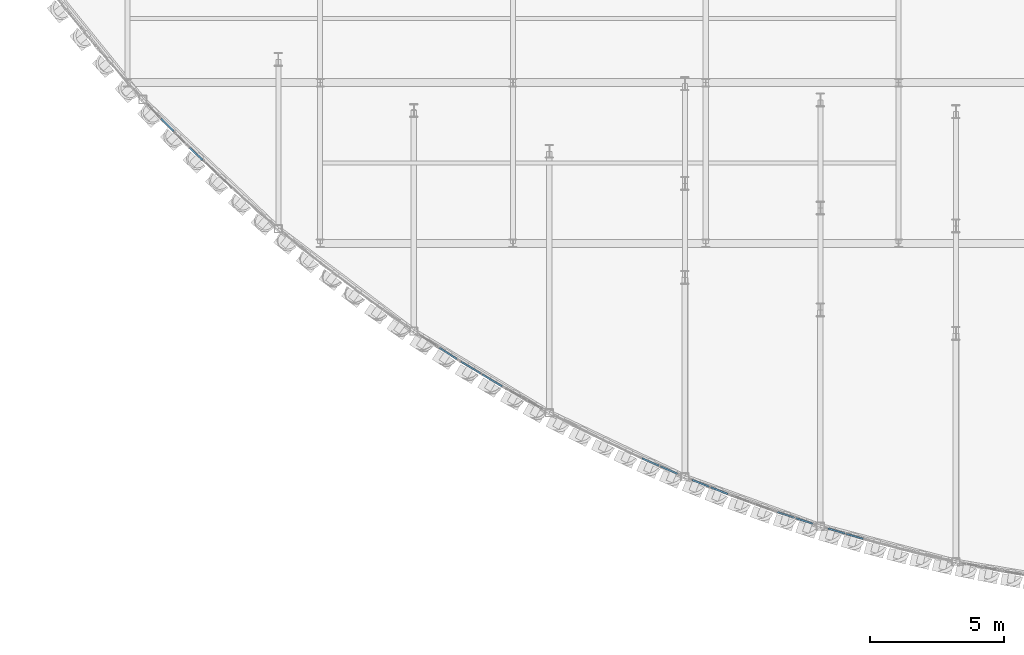
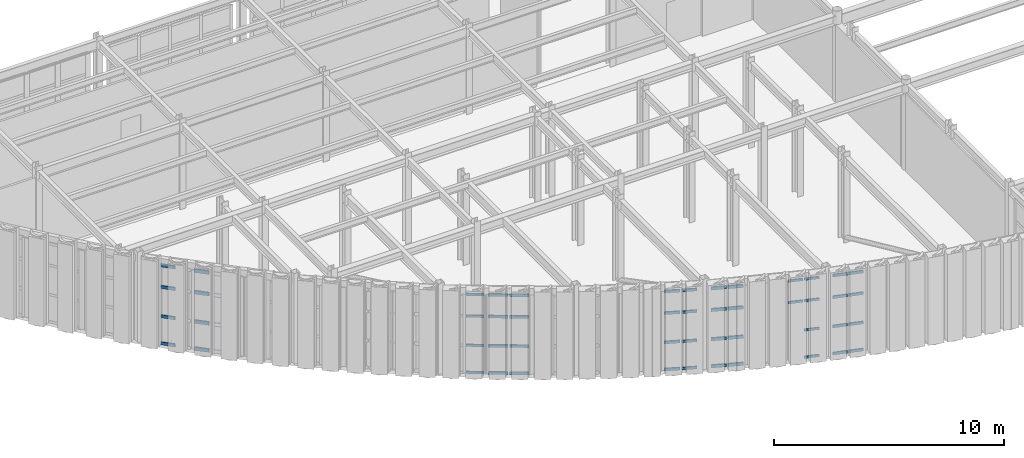
# One storey, part 66 of 121: 50 members, 8 elements without a shape of their own.
"""IFC4 building model written with IfcOpenShell, lengths in metres."""

from ifc_helpers import new_model, si_unit, direction, frame, origin, origin_2d, place, context, subcontext, project, spatial, hollow_rectangle, extrude, material, layer, layer_set, material_profile, profile_set, type_object, element, aggregate, save


model = new_model("IFC4")

# Units and contexts
model_context = context("Model", 3, precision=1e-05, world=origin(), true_north=direction((0.0, 1.0)))
body_context = subcontext(model_context, "Body", "Model", "MODEL_VIEW")
ifc_project = project(units=[si_unit("LENGTHUNIT", "METRE"), si_unit("AREAUNIT", "SQUARE_METRE"), si_unit("VOLUMEUNIT", "CUBIC_METRE"), si_unit("PLANEANGLEUNIT", "RADIAN"), si_unit("MASSUNIT", "GRAM", prefix="KILO")], contexts=[model_context])

# Site, building, storey
site_placement = place(None, origin())
site = spatial("IfcSite", under=ifc_project, at=site_placement, CompositionType="ELEMENT")
building_placement = place(site_placement, origin())
building = spatial("IfcBuilding", under=site, at=building_placement, Name="Solvadek Multi-Sports Hall", CompositionType="ELEMENT")
storey_placement = place(building_placement, frame((0.0, 0.0, 4.800048828125)))
storey = spatial("IfcBuildingStorey", under=building, at=storey_placement, Name="L01", CompositionType="ELEMENT", Elevation=4.800048828125)

# Curtain wall, members
ifc_material = material(Name="Anodised aluminium", Category="aluminium")
ifc_layer_1 = layer(ifc_material, 0.159912109375, Name="Anodised aluminium")
ifc_layer_set_1 = layer_set([ifc_layer_1], Name="Anodised aluminium")
curtain_wall_type_1 = type_object("IfcCurtainWallType", Name="ENV-CW-174X420", PredefinedType="USERDEFINED", material=ifc_layer_set_1)
curtain_wall_1_placement = place(storey_placement, origin())
curtain_wall_1 = element("IfcCurtainWall", 1, at=curtain_wall_1_placement, inside=storey, type_object=curtain_wall_type_1, Name="L01 Crescent Curved Curtain Wall #25", ObjectType="CURTAIN WALL", PredefinedType="USERDEFINED")
ifc_material_profile_1 = material_profile(ifc_material, hollow_rectangle(XDim=0.06005859375, YDim=0.1201171875, WallThickness=0.00390625, at=origin_2d()), Name="ALU-T 120x60x4")
ifc_profile_set_1 = profile_set([ifc_material_profile_1], Name="Anodised aluminium")
member_type_1 = type_object("IfcMemberType", Name="ENV-CWT-01", PredefinedType="USERDEFINED", material=ifc_profile_set_1)
member_1_placement = place(storey_placement, frame((47.65576171875, -3.900146484375, 0.030029296875), z_axis=(0.839078214165, -0.544010799997, 0.0), x_axis=(0.544010799997, 0.839078214165, 0.0)))
member_1 = element("IfcMember", 2, at=member_1_placement, type_object=member_type_1, Name="CW-12 transom 2.1", ObjectType="TRANSOM", PredefinedType="USERDEFINED", context=body_context, shape_type="SweptSolid", body=[
    extrude(hollow_rectangle(XDim=0.06005859375, YDim=0.1201171875, WallThickness=0.00390625, at=origin_2d()), origin(), (0.0, 0.0, 1.0), 0.772705078125),
])
member_2_placement = place(storey_placement, frame((47.65576171875, -3.900146484375, 1.469970703125), z_axis=(0.839078214165, -0.544010799997, 0.0), x_axis=(0.544010799997, 0.839078214165, 0.0)))
member_2 = element("IfcMember", 3, at=member_2_placement, type_object=member_type_1, Name="CW-12 transom 2.2", ObjectType="TRANSOM", PredefinedType="USERDEFINED", context=body_context, shape_type="SweptSolid", body=[
    extrude(hollow_rectangle(XDim=0.06005859375, YDim=0.1201171875, WallThickness=0.00390625, at=origin_2d()), origin(), (0.0, 0.0, 1.0), 0.772705078125),
])
member_3_placement = place(storey_placement, frame((47.65576171875, -3.900146484375, 3.02392578125), z_axis=(0.839078214165, -0.544010799997, 0.0), x_axis=(0.544010799997, 0.839078214165, 0.0)))
member_3 = element("IfcMember", 4, at=member_3_placement, type_object=member_type_1, Name="CW-12 transom 2.3", ObjectType="TRANSOM", PredefinedType="USERDEFINED", context=body_context, shape_type="SweptSolid", body=[
    extrude(hollow_rectangle(XDim=0.06005859375, YDim=0.1201171875, WallThickness=0.00390625, at=origin_2d()), origin(), (0.0, 0.0, 1.0), 0.772705078125),
])
member_4_placement = place(storey_placement, frame((47.65576171875, -3.900146484375, 4.169921875), z_axis=(0.839078214165, -0.544010799997, 0.0), x_axis=(0.544010799997, 0.839078214165, 0.0)))
member_4 = element("IfcMember", 5, at=member_4_placement, type_object=member_type_1, Name="CW-12 transom 2.4", ObjectType="TRANSOM", PredefinedType="USERDEFINED", context=body_context, shape_type="SweptSolid", body=[
    extrude(hollow_rectangle(XDim=0.06005859375, YDim=0.1201171875, WallThickness=0.00390625, at=origin_2d()), origin(), (0.0, 0.0, 1.0), 0.772705078125),
])
aggregate(curtain_wall_1, [member_1, member_2, member_3, member_4])

ifc_layer_2 = layer(ifc_material, 0.159912109375, Name="Anodised aluminium")
ifc_layer_set_2 = layer_set([ifc_layer_2], Name="Anodised aluminium")
curtain_wall_type_2 = type_object("IfcCurtainWallType", Name="ENV-CW-151X420", PredefinedType="USERDEFINED", material=ifc_layer_set_2)
curtain_wall_2_placement = place(storey_placement, origin())
curtain_wall_2 = element("IfcCurtainWall", 6, at=curtain_wall_2_placement, inside=storey, type_object=curtain_wall_type_2, Name="L01 Crescent Curved Curtain Wall #41", ObjectType="CURTAIN WALL", PredefinedType="USERDEFINED")
member_5_placement = place(storey_placement, frame((60.27734375, -10.03662109375, 3.02392578125), z_axis=(0.95007387876, -0.312025038895, 0.0), x_axis=(0.312025038895, 0.95007387876, 0.0)))
member_5 = element("IfcMember", 7, at=member_5_placement, type_object=member_type_1, Name="CW-20 transom 1.3", ObjectType="TRANSOM", PredefinedType="USERDEFINED", context=body_context, shape_type="SweptSolid", body=[
    extrude(hollow_rectangle(XDim=0.06005859375, YDim=0.1201171875, WallThickness=0.00390625, at=origin_2d()), origin(), (0.0, 0.0, 1.0), 0.662841796875),
])
member_6_placement = place(storey_placement, frame((60.27734375, -10.03662109375, 4.169921875), z_axis=(0.95007387876, -0.312025038895, 0.0), x_axis=(0.312025038895, 0.95007387876, 0.0)))
member_6 = element("IfcMember", 8, at=member_6_placement, type_object=member_type_1, Name="CW-20 transom 1.4", ObjectType="TRANSOM", PredefinedType="USERDEFINED", context=body_context, shape_type="SweptSolid", body=[
    extrude(hollow_rectangle(XDim=0.06005859375, YDim=0.1201171875, WallThickness=0.00390625, at=origin_2d()), origin(), (0.0, 0.0, 1.0), 0.662841796875),
])
member_7_placement = place(storey_placement, frame((60.964111328125, -10.26220703125, 0.030029296875), z_axis=(0.95007387876, -0.312025038895, 0.0), x_axis=(0.312025038895, 0.95007387876, 0.0)))
member_7 = element("IfcMember", 9, at=member_7_placement, type_object=member_type_1, Name="CW-20 transom 2.1", ObjectType="TRANSOM", PredefinedType="USERDEFINED", context=body_context, shape_type="SweptSolid", body=[
    extrude(hollow_rectangle(XDim=0.06005859375, YDim=0.1201171875, WallThickness=0.00390625, at=origin_2d()), origin(), (0.0, 0.0, 1.0), 0.662841796875),
])
member_8_placement = place(storey_placement, frame((60.964111328125, -10.26220703125, 1.469970703125), z_axis=(0.95007387876, -0.312025038895, 0.0), x_axis=(0.312025038895, 0.95007387876, 0.0)))
member_8 = element("IfcMember", 10, at=member_8_placement, type_object=member_type_1, Name="CW-20 transom 2.2", ObjectType="TRANSOM", PredefinedType="USERDEFINED", context=body_context, shape_type="SweptSolid", body=[
    extrude(hollow_rectangle(XDim=0.06005859375, YDim=0.1201171875, WallThickness=0.00390625, at=origin_2d()), origin(), (0.0, 0.0, 1.0), 0.662841796875),
])
member_9_placement = place(storey_placement, frame((60.964111328125, -10.26220703125, 3.02392578125), z_axis=(0.95007387876, -0.312025038895, 0.0), x_axis=(0.312025038895, 0.95007387876, 0.0)))
member_9 = element("IfcMember", 11, at=member_9_placement, type_object=member_type_1, Name="CW-20 transom 2.3", ObjectType="TRANSOM", PredefinedType="USERDEFINED", context=body_context, shape_type="SweptSolid", body=[
    extrude(hollow_rectangle(XDim=0.06005859375, YDim=0.1201171875, WallThickness=0.00390625, at=origin_2d()), origin(), (0.0, 0.0, 1.0), 0.662841796875),
])
member_10_placement = place(storey_placement, frame((60.964111328125, -10.26220703125, 4.169921875), z_axis=(0.95007387876, -0.312025038895, 0.0), x_axis=(0.312025038895, 0.95007387876, 0.0)))
member_10 = element("IfcMember", 12, at=member_10_placement, type_object=member_type_1, Name="CW-20 transom 2.4", ObjectType="TRANSOM", PredefinedType="USERDEFINED", context=body_context, shape_type="SweptSolid", body=[
    extrude(hollow_rectangle(XDim=0.06005859375, YDim=0.1201171875, WallThickness=0.00390625, at=origin_2d()), origin(), (0.0, 0.0, 1.0), 0.662841796875),
])
aggregate(curtain_wall_2, [member_5, member_6, member_7, member_8, member_9, member_10])

ifc_layer_3 = layer(ifc_material, 0.159912109375, Name="Anodised aluminium")
ifc_layer_set_3 = layer_set([ifc_layer_3], Name="Anodised aluminium")
curtain_wall_type_3 = type_object("IfcCurtainWallType", Name="ENV-CW-191X420", PredefinedType="USERDEFINED", material=ifc_layer_set_3)
curtain_wall_3_placement = place(storey_placement, origin())
curtain_wall_3 = element("IfcCurtainWall", 13, at=curtain_wall_3_placement, inside=storey, type_object=curtain_wall_type_3, Name="L01 Crescent Curved Curtain Wall #27", ObjectType="CURTAIN WALL", PredefinedType="USERDEFINED")
ifc_material_profile_2 = material_profile(ifc_material, hollow_rectangle(XDim=0.06005859375, YDim=0.139892578125, WallThickness=0.00390625, at=origin_2d()), Name="ALU-T 140x60x4")
ifc_profile_set_2 = profile_set([ifc_material_profile_2], Name="Anodised aluminium")
member_type_2 = type_object("IfcMemberType", Name="ENV-CWT-02", PredefinedType="USERDEFINED", material=ifc_profile_set_2)
member_11_placement = place(storey_placement, frame((48.46533203125, -4.421142578125, 0.030029296875), z_axis=(0.857140606249, -0.515082499332, 0.0), x_axis=(0.515082499332, 0.857140606249, 0.0)))
member_11 = element("IfcMember", 14, at=member_11_placement, type_object=member_type_2, Name="CW-13 transom 1.1", ObjectType="TRANSOM", PredefinedType="USERDEFINED", context=body_context, shape_type="SweptSolid", body=[
    extrude(hollow_rectangle(XDim=0.06005859375, YDim=0.139892578125, WallThickness=0.00390625, at=origin_2d()), origin(), (0.0, 0.0, 1.0), 0.8564453125),
])
member_12_placement = place(storey_placement, frame((48.46533203125, -4.421142578125, 1.469970703125), z_axis=(0.857140606249, -0.515082499332, 0.0), x_axis=(0.515082499332, 0.857140606249, 0.0)))
member_12 = element("IfcMember", 15, at=member_12_placement, type_object=member_type_2, Name="CW-13 transom 1.2", ObjectType="TRANSOM", PredefinedType="USERDEFINED", context=body_context, shape_type="SweptSolid", body=[
    extrude(hollow_rectangle(XDim=0.06005859375, YDim=0.139892578125, WallThickness=0.00390625, at=origin_2d()), origin(), (0.0, 0.0, 1.0), 0.8564453125),
])
member_13_placement = place(storey_placement, frame((48.46533203125, -4.421142578125, 3.02392578125), z_axis=(0.857140606249, -0.515082499332, 0.0), x_axis=(0.515082499332, 0.857140606249, 0.0)))
member_13 = element("IfcMember", 16, at=member_13_placement, type_object=member_type_2, Name="CW-13 transom 1.3", ObjectType="TRANSOM", PredefinedType="USERDEFINED", context=body_context, shape_type="SweptSolid", body=[
    extrude(hollow_rectangle(XDim=0.06005859375, YDim=0.139892578125, WallThickness=0.00390625, at=origin_2d()), origin(), (0.0, 0.0, 1.0), 0.8564453125),
])
member_14_placement = place(storey_placement, frame((48.46533203125, -4.421142578125, 4.169921875), z_axis=(0.857140606249, -0.515082499332, 0.0), x_axis=(0.515082499332, 0.857140606249, 0.0)))
member_14 = element("IfcMember", 17, at=member_14_placement, type_object=member_type_2, Name="CW-13 transom 1.4", ObjectType="TRANSOM", PredefinedType="USERDEFINED", context=body_context, shape_type="SweptSolid", body=[
    extrude(hollow_rectangle(XDim=0.06005859375, YDim=0.139892578125, WallThickness=0.00390625, at=origin_2d()), origin(), (0.0, 0.0, 1.0), 0.8564453125),
])
member_15_placement = place(storey_placement, frame((49.255126953125, -4.895751953125, 0.030029296875), z_axis=(0.857140606249, -0.515082499332, 0.0), x_axis=(0.515082499332, 0.857140606249, 0.0)))
member_15 = element("IfcMember", 18, at=member_15_placement, type_object=member_type_2, Name="CW-13 transom 2.1", ObjectType="TRANSOM", PredefinedType="USERDEFINED", context=body_context, shape_type="SweptSolid", body=[
    extrude(hollow_rectangle(XDim=0.06005859375, YDim=0.139892578125, WallThickness=0.00390625, at=origin_2d()), origin(), (0.0, 0.0, 1.0), 0.8564453125),
])
member_16_placement = place(storey_placement, frame((49.255126953125, -4.895751953125, 1.469970703125), z_axis=(0.857140606249, -0.515082499332, 0.0), x_axis=(0.515082499332, 0.857140606249, 0.0)))
member_16 = element("IfcMember", 19, at=member_16_placement, type_object=member_type_2, Name="CW-13 transom 2.2", ObjectType="TRANSOM", PredefinedType="USERDEFINED", context=body_context, shape_type="SweptSolid", body=[
    extrude(hollow_rectangle(XDim=0.06005859375, YDim=0.139892578125, WallThickness=0.00390625, at=origin_2d()), origin(), (0.0, 0.0, 1.0), 0.8564453125),
])
member_17_placement = place(storey_placement, frame((49.255126953125, -4.895751953125, 3.02392578125), z_axis=(0.857140606249, -0.515082499332, 0.0), x_axis=(0.515082499332, 0.857140606249, 0.0)))
member_17 = element("IfcMember", 20, at=member_17_placement, type_object=member_type_2, Name="CW-13 transom 2.3", ObjectType="TRANSOM", PredefinedType="USERDEFINED", context=body_context, shape_type="SweptSolid", body=[
    extrude(hollow_rectangle(XDim=0.06005859375, YDim=0.139892578125, WallThickness=0.00390625, at=origin_2d()), origin(), (0.0, 0.0, 1.0), 0.8564453125),
])
member_18_placement = place(storey_placement, frame((49.255126953125, -4.895751953125, 4.169921875), z_axis=(0.857140606249, -0.515082499332, 0.0), x_axis=(0.515082499332, 0.857140606249, 0.0)))
member_18 = element("IfcMember", 21, at=member_18_placement, type_object=member_type_2, Name="CW-13 transom 2.4", ObjectType="TRANSOM", PredefinedType="USERDEFINED", context=body_context, shape_type="SweptSolid", body=[
    extrude(hollow_rectangle(XDim=0.06005859375, YDim=0.139892578125, WallThickness=0.00390625, at=origin_2d()), origin(), (0.0, 0.0, 1.0), 0.8564453125),
])
aggregate(curtain_wall_3, [member_11, member_12, member_13, member_14, member_15, member_16, member_17, member_18])

ifc_layer_4 = layer(ifc_material, 0.159912109375, Name="Anodised aluminium")
ifc_layer_set_4 = layer_set([ifc_layer_4], Name="Anodised aluminium")
curtain_wall_type_4 = type_object("IfcCurtainWallType", Name="ENV-CW-157X420", PredefinedType="USERDEFINED", material=ifc_layer_set_4)
curtain_wall_4_placement = place(storey_placement, origin())
curtain_wall_4 = element("IfcCurtainWall", 22, at=curtain_wall_4_placement, inside=storey, type_object=curtain_wall_type_4, Name="L01 Crescent Curved Curtain Wall #35", ObjectType="CURTAIN WALL", PredefinedType="USERDEFINED")
member_19_placement = place(storey_placement, frame((55.218505859375, -8.02783203125, 0.030029296875), z_axis=(0.916832701607, -0.399271583342, 0.0), x_axis=(0.399271583342, 0.916832701607, 0.0)))
member_19 = element("IfcMember", 23, at=member_19_placement, type_object=member_type_2, Name="CW-17 transom 1.1", ObjectType="TRANSOM", PredefinedType="USERDEFINED", context=body_context, shape_type="SweptSolid", body=[
    extrude(hollow_rectangle(XDim=0.06005859375, YDim=0.139892578125, WallThickness=0.00390625, at=origin_2d()), origin(), (0.0, 0.0, 1.0), 0.687255859375),
])
member_20_placement = place(storey_placement, frame((55.218505859375, -8.02783203125, 1.469970703125), z_axis=(0.916832701607, -0.399271583342, 0.0), x_axis=(0.399271583342, 0.916832701607, 0.0)))
member_20 = element("IfcMember", 24, at=member_20_placement, type_object=member_type_2, Name="CW-17 transom 1.2", ObjectType="TRANSOM", PredefinedType="USERDEFINED", context=body_context, shape_type="SweptSolid", body=[
    extrude(hollow_rectangle(XDim=0.06005859375, YDim=0.139892578125, WallThickness=0.00390625, at=origin_2d()), origin(), (0.0, 0.0, 1.0), 0.687255859375),
])
member_21_placement = place(storey_placement, frame((55.218505859375, -8.02783203125, 3.02392578125), z_axis=(0.916832701607, -0.399271583342, 0.0), x_axis=(0.399271583342, 0.916832701607, 0.0)))
member_21 = element("IfcMember", 25, at=member_21_placement, type_object=member_type_2, Name="CW-17 transom 1.3", ObjectType="TRANSOM", PredefinedType="USERDEFINED", context=body_context, shape_type="SweptSolid", body=[
    extrude(hollow_rectangle(XDim=0.06005859375, YDim=0.139892578125, WallThickness=0.00390625, at=origin_2d()), origin(), (0.0, 0.0, 1.0), 0.687255859375),
])
member_22_placement = place(storey_placement, frame((55.218505859375, -8.02783203125, 4.169921875), z_axis=(0.916832701607, -0.399271583342, 0.0), x_axis=(0.399271583342, 0.916832701607, 0.0)))
member_22 = element("IfcMember", 26, at=member_22_placement, type_object=member_type_2, Name="CW-17 transom 1.4", ObjectType="TRANSOM", PredefinedType="USERDEFINED", context=body_context, shape_type="SweptSolid", body=[
    extrude(hollow_rectangle(XDim=0.06005859375, YDim=0.139892578125, WallThickness=0.00390625, at=origin_2d()), origin(), (0.0, 0.0, 1.0), 0.687255859375),
])
member_23_placement = place(storey_placement, frame((55.908203125, -8.328125, 0.030029296875), z_axis=(0.916889302954, -0.399141586569, 0.0), x_axis=(0.399141586569, 0.916889302954, 0.0)))
member_23 = element("IfcMember", 27, at=member_23_placement, type_object=member_type_2, Name="CW-17 transom 2.1", ObjectType="TRANSOM", PredefinedType="USERDEFINED", context=body_context, shape_type="SweptSolid", body=[
    extrude(hollow_rectangle(XDim=0.06005859375, YDim=0.139892578125, WallThickness=0.00390625, at=origin_2d()), origin(), (0.0, 0.0, 1.0), 0.6875),
])
member_24_placement = place(storey_placement, frame((55.908203125, -8.328125, 1.469970703125), z_axis=(0.916889302954, -0.399141586569, 0.0), x_axis=(0.399141586569, 0.916889302954, 0.0)))
member_24 = element("IfcMember", 28, at=member_24_placement, type_object=member_type_2, Name="CW-17 transom 2.2", ObjectType="TRANSOM", PredefinedType="USERDEFINED", context=body_context, shape_type="SweptSolid", body=[
    extrude(hollow_rectangle(XDim=0.06005859375, YDim=0.139892578125, WallThickness=0.00390625, at=origin_2d()), origin(), (0.0, 0.0, 1.0), 0.6875),
])
member_25_placement = place(storey_placement, frame((55.908203125, -8.328125, 3.02392578125), z_axis=(0.916889302954, -0.399141586569, 0.0), x_axis=(0.399141586569, 0.916889302954, 0.0)))
member_25 = element("IfcMember", 29, at=member_25_placement, type_object=member_type_2, Name="CW-17 transom 2.3", ObjectType="TRANSOM", PredefinedType="USERDEFINED", context=body_context, shape_type="SweptSolid", body=[
    extrude(hollow_rectangle(XDim=0.06005859375, YDim=0.139892578125, WallThickness=0.00390625, at=origin_2d()), origin(), (0.0, 0.0, 1.0), 0.6875),
])
member_26_placement = place(storey_placement, frame((55.908203125, -8.328125, 4.169921875), z_axis=(0.916889302954, -0.399141586569, 0.0), x_axis=(0.399141586569, 0.916889302954, 0.0)))
member_26 = element("IfcMember", 30, at=member_26_placement, type_object=member_type_2, Name="CW-17 transom 2.4", ObjectType="TRANSOM", PredefinedType="USERDEFINED", context=body_context, shape_type="SweptSolid", body=[
    extrude(hollow_rectangle(XDim=0.06005859375, YDim=0.139892578125, WallThickness=0.00390625, at=origin_2d()), origin(), (0.0, 0.0, 1.0), 0.6875),
])
aggregate(curtain_wall_4, [member_19, member_20, member_21, member_22, member_23, member_24, member_25, member_26])

ifc_layer_5 = layer(ifc_material, 0.159912109375, Name="Anodised aluminium")
ifc_layer_set_5 = layer_set([ifc_layer_5], Name="Anodised aluminium")
curtain_wall_type_5 = type_object("IfcCurtainWallType", Name="ENV-CW-149X420", PredefinedType="USERDEFINED", material=ifc_layer_set_5)
curtain_wall_5_placement = place(storey_placement, origin())
curtain_wall_5 = element("IfcCurtainWall", 31, at=curtain_wall_5_placement, inside=storey, type_object=curtain_wall_type_5, Name="L01 Crescent Curved Curtain Wall #43", ObjectType="CURTAIN WALL", PredefinedType="USERDEFINED")
member_27_placement = place(storey_placement, frame((62.16650390625, -10.647705078125, 0.030029296875), z_axis=(0.959079887433, -0.283135602708, 0.0), x_axis=(0.283135602708, 0.959079887433, 0.0)))
member_27 = element("IfcMember", 32, at=member_27_placement, type_object=member_type_2, Name="CW-21 transom 1.1", ObjectType="TRANSOM", PredefinedType="USERDEFINED", context=body_context, shape_type="SweptSolid", body=[
    extrude(hollow_rectangle(XDim=0.06005859375, YDim=0.139892578125, WallThickness=0.00390625, at=origin_2d()), origin(), (0.0, 0.0, 1.0), 0.654541015625),
])
member_28_placement = place(storey_placement, frame((62.16650390625, -10.647705078125, 1.469970703125), z_axis=(0.959079887433, -0.283135602708, 0.0), x_axis=(0.283135602708, 0.959079887433, 0.0)))
member_28 = element("IfcMember", 33, at=member_28_placement, type_object=member_type_2, Name="CW-21 transom 1.2", ObjectType="TRANSOM", PredefinedType="USERDEFINED", context=body_context, shape_type="SweptSolid", body=[
    extrude(hollow_rectangle(XDim=0.06005859375, YDim=0.139892578125, WallThickness=0.00390625, at=origin_2d()), origin(), (0.0, 0.0, 1.0), 0.654541015625),
])
member_29_placement = place(storey_placement, frame((62.16650390625, -10.647705078125, 3.02392578125), z_axis=(0.959079887433, -0.283135602708, 0.0), x_axis=(0.283135602708, 0.959079887433, 0.0)))
member_29 = element("IfcMember", 34, at=member_29_placement, type_object=member_type_2, Name="CW-21 transom 1.3", ObjectType="TRANSOM", PredefinedType="USERDEFINED", context=body_context, shape_type="SweptSolid", body=[
    extrude(hollow_rectangle(XDim=0.06005859375, YDim=0.139892578125, WallThickness=0.00390625, at=origin_2d()), origin(), (0.0, 0.0, 1.0), 0.654541015625),
])
member_30_placement = place(storey_placement, frame((62.16650390625, -10.647705078125, 4.169921875), z_axis=(0.959079887433, -0.283135602708, 0.0), x_axis=(0.283135602708, 0.959079887433, 0.0)))
member_30 = element("IfcMember", 35, at=member_30_placement, type_object=member_type_2, Name="CW-21 transom 1.4", ObjectType="TRANSOM", PredefinedType="USERDEFINED", context=body_context, shape_type="SweptSolid", body=[
    extrude(hollow_rectangle(XDim=0.06005859375, YDim=0.139892578125, WallThickness=0.00390625, at=origin_2d()), origin(), (0.0, 0.0, 1.0), 0.654541015625),
])
member_31_placement = place(storey_placement, frame((62.851806640625, -10.85009765625, 0.030029296875), z_axis=(0.959049966524, -0.283236935639, 0.0), x_axis=(0.283236935639, 0.959049966524, 0.0)))
member_31 = element("IfcMember", 36, at=member_31_placement, type_object=member_type_2, Name="CW-21 transom 2.1", ObjectType="TRANSOM", PredefinedType="USERDEFINED", context=body_context, shape_type="SweptSolid", body=[
    extrude(hollow_rectangle(XDim=0.06005859375, YDim=0.139892578125, WallThickness=0.00390625, at=origin_2d()), origin(), (0.0, 0.0, 1.0), 0.654296875),
])
member_32_placement = place(storey_placement, frame((62.851806640625, -10.85009765625, 1.469970703125), z_axis=(0.959049966524, -0.283236935639, 0.0), x_axis=(0.283236935639, 0.959049966524, 0.0)))
member_32 = element("IfcMember", 37, at=member_32_placement, type_object=member_type_2, Name="CW-21 transom 2.2", ObjectType="TRANSOM", PredefinedType="USERDEFINED", context=body_context, shape_type="SweptSolid", body=[
    extrude(hollow_rectangle(XDim=0.06005859375, YDim=0.139892578125, WallThickness=0.00390625, at=origin_2d()), origin(), (0.0, 0.0, 1.0), 0.654296875),
])
member_33_placement = place(storey_placement, frame((62.851806640625, -10.85009765625, 3.02392578125), z_axis=(0.959049966524, -0.283236935639, 0.0), x_axis=(0.283236935639, 0.959049966524, 0.0)))
member_33 = element("IfcMember", 38, at=member_33_placement, type_object=member_type_2, Name="CW-21 transom 2.3", ObjectType="TRANSOM", PredefinedType="USERDEFINED", context=body_context, shape_type="SweptSolid", body=[
    extrude(hollow_rectangle(XDim=0.06005859375, YDim=0.139892578125, WallThickness=0.00390625, at=origin_2d()), origin(), (0.0, 0.0, 1.0), 0.654296875),
])
member_34_placement = place(storey_placement, frame((62.851806640625, -10.85009765625, 4.169921875), z_axis=(0.959049966524, -0.283236935639, 0.0), x_axis=(0.283236935639, 0.959049966524, 0.0)))
member_34 = element("IfcMember", 39, at=member_34_placement, type_object=member_type_2, Name="CW-21 transom 2.4", ObjectType="TRANSOM", PredefinedType="USERDEFINED", context=body_context, shape_type="SweptSolid", body=[
    extrude(hollow_rectangle(XDim=0.06005859375, YDim=0.139892578125, WallThickness=0.00390625, at=origin_2d()), origin(), (0.0, 0.0, 1.0), 0.654296875),
])
aggregate(curtain_wall_5, [member_27, member_28, member_29, member_30, member_31, member_32, member_33, member_34])

ifc_layer_6 = layer(ifc_material, 0.159912109375, Name="Anodised aluminium")
ifc_layer_set_6 = layer_set([ifc_layer_6], Name="Anodised aluminium")
curtain_wall_type_6 = type_object("IfcCurtainWallType", Name="ENV-CW-215X420", PredefinedType="USERDEFINED", material=ifc_layer_set_6)
curtain_wall_6_placement = place(storey_placement, origin())
curtain_wall_6 = element("IfcCurtainWall", 40, at=curtain_wall_6_placement, inside=storey, type_object=curtain_wall_type_6, Name="L01 Crescent Curved Curtain Wall #13", ObjectType="CURTAIN WALL", PredefinedType="USERDEFINED")
ifc_material_profile_3 = material_profile(ifc_material, hollow_rectangle(XDim=0.06494140625, YDim=0.159912109375, WallThickness=0.00390625, at=origin_2d()), Name="ALU-T 160x65x4")
ifc_profile_set_3 = profile_set([ifc_material_profile_3], Name="Anodised aluminium")
member_type_3 = type_object("IfcMemberType", Name="ENV-CWT-03", PredefinedType="USERDEFINED", material=ifc_profile_set_3)
member_35_placement = place(storey_placement, frame((37.263427734375, 4.662109375, 0.032470703125), z_axis=(0.695884956767, -0.718153275384, 0.0), x_axis=(0.718153275384, 0.695884956767, 0.0)))
member_35 = element("IfcMember", 41, at=member_35_placement, type_object=member_type_3, Name="CW-07 transom 2.1", ObjectType="TRANSOM", PredefinedType="USERDEFINED", context=body_context, shape_type="SweptSolid", body=[
    extrude(hollow_rectangle(XDim=0.06494140625, YDim=0.159912109375, WallThickness=0.00390625, at=origin_2d()), origin(), (0.0, 0.0, 1.0), 0.65771484375),
])
member_36_placement = place(storey_placement, frame((37.263427734375, 4.662109375, 1.469970703125), z_axis=(0.695884956767, -0.718153275384, 0.0), x_axis=(0.718153275384, 0.695884956767, 0.0)))
member_36 = element("IfcMember", 42, at=member_36_placement, type_object=member_type_3, Name="CW-07 transom 2.2", ObjectType="TRANSOM", PredefinedType="USERDEFINED", context=body_context, shape_type="SweptSolid", body=[
    extrude(hollow_rectangle(XDim=0.06494140625, YDim=0.159912109375, WallThickness=0.00390625, at=origin_2d()), origin(), (0.0, 0.0, 1.0), 0.65771484375),
])
member_37_placement = place(storey_placement, frame((37.263427734375, 4.662109375, 3.02392578125), z_axis=(0.695884956767, -0.718153275384, 0.0), x_axis=(0.718153275384, 0.695884956767, 0.0)))
member_37 = element("IfcMember", 43, at=member_37_placement, type_object=member_type_3, Name="CW-07 transom 2.3", ObjectType="TRANSOM", PredefinedType="USERDEFINED", context=body_context, shape_type="SweptSolid", body=[
    extrude(hollow_rectangle(XDim=0.06494140625, YDim=0.159912109375, WallThickness=0.00390625, at=origin_2d()), origin(), (0.0, 0.0, 1.0), 0.65771484375),
])
member_38_placement = place(storey_placement, frame((37.263427734375, 4.662109375, 4.16748046875), z_axis=(0.695884956767, -0.718153275384, 0.0), x_axis=(0.718153275384, 0.695884956767, 0.0)))
member_38 = element("IfcMember", 44, at=member_38_placement, type_object=member_type_3, Name="CW-07 transom 2.4", ObjectType="TRANSOM", PredefinedType="USERDEFINED", context=body_context, shape_type="SweptSolid", body=[
    extrude(hollow_rectangle(XDim=0.06494140625, YDim=0.159912109375, WallThickness=0.00390625, at=origin_2d()), origin(), (0.0, 0.0, 1.0), 0.65771484375),
])
aggregate(curtain_wall_6, [member_35, member_36, member_37, member_38])

ifc_layer_7 = layer(ifc_material, 0.159912109375, Name="Anodised aluminium")
ifc_layer_set_7 = layer_set([ifc_layer_7], Name="Anodised aluminium")
curtain_wall_type_7 = type_object("IfcCurtainWallType", Name="ENV-CW-155X420", PredefinedType="USERDEFINED", material=ifc_layer_set_7)
curtain_wall_7_placement = place(storey_placement, origin())
curtain_wall_7 = element("IfcCurtainWall", 45, at=curtain_wall_7_placement, inside=storey, type_object=curtain_wall_type_7, Name="L01 Crescent Curved Curtain Wall #37", ObjectType="CURTAIN WALL", PredefinedType="USERDEFINED")
member_39_placement = place(storey_placement, frame((57.1015625, -8.837158203125, 0.032470703125), z_axis=(0.928974431683, -0.370143898071, 0.0), x_axis=(0.370143898071, 0.928974431683, 0.0)))
member_39 = element("IfcMember", 46, at=member_39_placement, type_object=member_type_3, Name="CW-18 transom 1.1", ObjectType="TRANSOM", PredefinedType="USERDEFINED", context=body_context, shape_type="SweptSolid", body=[
    extrude(hollow_rectangle(XDim=0.06494140625, YDim=0.159912109375, WallThickness=0.00390625, at=origin_2d()), origin(), (0.0, 0.0, 1.0), 0.67529296875),
])
member_40_placement = place(storey_placement, frame((57.1015625, -8.837158203125, 1.469970703125), z_axis=(0.928974431683, -0.370143898071, 0.0), x_axis=(0.370143898071, 0.928974431683, 0.0)))
member_40 = element("IfcMember", 47, at=member_40_placement, type_object=member_type_3, Name="CW-18 transom 1.2", ObjectType="TRANSOM", PredefinedType="USERDEFINED", context=body_context, shape_type="SweptSolid", body=[
    extrude(hollow_rectangle(XDim=0.06494140625, YDim=0.159912109375, WallThickness=0.00390625, at=origin_2d()), origin(), (0.0, 0.0, 1.0), 0.67529296875),
])
member_41_placement = place(storey_placement, frame((57.1015625, -8.837158203125, 3.02392578125), z_axis=(0.928974431683, -0.370143898071, 0.0), x_axis=(0.370143898071, 0.928974431683, 0.0)))
member_41 = element("IfcMember", 48, at=member_41_placement, type_object=member_type_3, Name="CW-18 transom 1.3", ObjectType="TRANSOM", PredefinedType="USERDEFINED", context=body_context, shape_type="SweptSolid", body=[
    extrude(hollow_rectangle(XDim=0.06494140625, YDim=0.159912109375, WallThickness=0.00390625, at=origin_2d()), origin(), (0.0, 0.0, 1.0), 0.67529296875),
])
member_42_placement = place(storey_placement, frame((57.1015625, -8.837158203125, 4.16748046875), z_axis=(0.928974431683, -0.370143898071, 0.0), x_axis=(0.370143898071, 0.928974431683, 0.0)))
member_42 = element("IfcMember", 49, at=member_42_placement, type_object=member_type_3, Name="CW-18 transom 1.4", ObjectType="TRANSOM", PredefinedType="USERDEFINED", context=body_context, shape_type="SweptSolid", body=[
    extrude(hollow_rectangle(XDim=0.06494140625, YDim=0.159912109375, WallThickness=0.00390625, at=origin_2d()), origin(), (0.0, 0.0, 1.0), 0.67529296875),
])
member_43_placement = place(storey_placement, frame((57.789306640625, -9.111083984375, 0.032470703125), z_axis=(0.928974431683, -0.370143898071, 0.0), x_axis=(0.370143898071, 0.928974431683, 0.0)))
member_43 = element("IfcMember", 50, at=member_43_placement, type_object=member_type_3, Name="CW-18 transom 2.1", ObjectType="TRANSOM", PredefinedType="USERDEFINED", context=body_context, shape_type="SweptSolid", body=[
    extrude(hollow_rectangle(XDim=0.06494140625, YDim=0.159912109375, WallThickness=0.00390625, at=origin_2d()), origin(), (0.0, 0.0, 1.0), 0.67529296875),
])
member_44_placement = place(storey_placement, frame((57.789306640625, -9.111083984375, 1.469970703125), z_axis=(0.928974431683, -0.370143898071, 0.0), x_axis=(0.370143898071, 0.928974431683, 0.0)))
member_44 = element("IfcMember", 51, at=member_44_placement, type_object=member_type_3, Name="CW-18 transom 2.2", ObjectType="TRANSOM", PredefinedType="USERDEFINED", context=body_context, shape_type="SweptSolid", body=[
    extrude(hollow_rectangle(XDim=0.06494140625, YDim=0.159912109375, WallThickness=0.00390625, at=origin_2d()), origin(), (0.0, 0.0, 1.0), 0.67529296875),
])
member_45_placement = place(storey_placement, frame((57.789306640625, -9.111083984375, 3.02392578125), z_axis=(0.928974431683, -0.370143898071, 0.0), x_axis=(0.370143898071, 0.928974431683, 0.0)))
member_45 = element("IfcMember", 52, at=member_45_placement, type_object=member_type_3, Name="CW-18 transom 2.3", ObjectType="TRANSOM", PredefinedType="USERDEFINED", context=body_context, shape_type="SweptSolid", body=[
    extrude(hollow_rectangle(XDim=0.06494140625, YDim=0.159912109375, WallThickness=0.00390625, at=origin_2d()), origin(), (0.0, 0.0, 1.0), 0.67529296875),
])
member_46_placement = place(storey_placement, frame((57.789306640625, -9.111083984375, 4.16748046875), z_axis=(0.928974431683, -0.370143898071, 0.0), x_axis=(0.370143898071, 0.928974431683, 0.0)))
member_46 = element("IfcMember", 53, at=member_46_placement, type_object=member_type_3, Name="CW-18 transom 2.4", ObjectType="TRANSOM", PredefinedType="USERDEFINED", context=body_context, shape_type="SweptSolid", body=[
    extrude(hollow_rectangle(XDim=0.06494140625, YDim=0.159912109375, WallThickness=0.00390625, at=origin_2d()), origin(), (0.0, 0.0, 1.0), 0.67529296875),
])
aggregate(curtain_wall_7, [member_39, member_40, member_41, member_42, member_43, member_44, member_45, member_46])

ifc_layer_8 = layer(ifc_material, 0.159912109375, Name="Anodised aluminium")
ifc_layer_set_8 = layer_set([ifc_layer_8], Name="Anodised aluminium")
curtain_wall_type_8 = type_object("IfcCurtainWallType", Name="ENV-CW-227X420", PredefinedType="USERDEFINED", material=ifc_layer_set_8)
curtain_wall_8_placement = place(storey_placement, origin())
curtain_wall_8 = element("IfcCurtainWall", 54, at=curtain_wall_8_placement, inside=storey, type_object=curtain_wall_type_8, Name="L01 Crescent Curved Curtain Wall #15", ObjectType="CURTAIN WALL", PredefinedType="USERDEFINED")
ifc_material_profile_4 = material_profile(ifc_material, hollow_rectangle(XDim=0.06494140625, YDim=0.179931640625, WallThickness=0.0048828125, at=origin_2d()), Name="ALU-T 180x65x5")
ifc_profile_set_4 = profile_set([ifc_material_profile_4], Name="Anodised aluminium")
member_type_4 = type_object("IfcMemberType", Name="ENV-CWT-04", PredefinedType="USERDEFINED", material=ifc_profile_set_4)
member_47_placement = place(storey_placement, frame((38.33154296875, 3.565673828125, 0.032470703125), z_axis=(0.72468453062, -0.689080787049, 0.0), x_axis=(0.689080787049, 0.72468453062, 0.0)))
member_47 = element("IfcMember", 55, at=member_47_placement, type_object=member_type_4, Name="CW-06 transom 1.1", ObjectType="TRANSOM", PredefinedType="USERDEFINED", context=body_context, shape_type="SweptSolid", body=[
    extrude(hollow_rectangle(XDim=0.06494140625, YDim=0.179931640625, WallThickness=0.0048828125, at=origin_2d()), origin(), (0.0, 0.0, 1.0), 0.658203125),
])
member_48_placement = place(storey_placement, frame((38.33154296875, 3.565673828125, 1.469970703125), z_axis=(0.72468453062, -0.689080787049, 0.0), x_axis=(0.689080787049, 0.72468453062, 0.0)))
member_48 = element("IfcMember", 56, at=member_48_placement, type_object=member_type_4, Name="CW-06 transom 1.2", ObjectType="TRANSOM", PredefinedType="USERDEFINED", context=body_context, shape_type="SweptSolid", body=[
    extrude(hollow_rectangle(XDim=0.06494140625, YDim=0.179931640625, WallThickness=0.0048828125, at=origin_2d()), origin(), (0.0, 0.0, 1.0), 0.658203125),
])
member_49_placement = place(storey_placement, frame((38.33154296875, 3.565673828125, 3.02392578125), z_axis=(0.72468453062, -0.689080787049, 0.0), x_axis=(0.689080787049, 0.72468453062, 0.0)))
member_49 = element("IfcMember", 57, at=member_49_placement, type_object=member_type_4, Name="CW-06 transom 1.3", ObjectType="TRANSOM", PredefinedType="USERDEFINED", context=body_context, shape_type="SweptSolid", body=[
    extrude(hollow_rectangle(XDim=0.06494140625, YDim=0.179931640625, WallThickness=0.0048828125, at=origin_2d()), origin(), (0.0, 0.0, 1.0), 0.658203125),
])
member_50_placement = place(storey_placement, frame((38.33154296875, 3.565673828125, 4.16748046875), z_axis=(0.72468453062, -0.689080787049, 0.0), x_axis=(0.689080787049, 0.72468453062, 0.0)))
member_50 = element("IfcMember", 58, at=member_50_placement, type_object=member_type_4, Name="CW-06 transom 1.4", ObjectType="TRANSOM", PredefinedType="USERDEFINED", context=body_context, shape_type="SweptSolid", body=[
    extrude(hollow_rectangle(XDim=0.06494140625, YDim=0.179931640625, WallThickness=0.0048828125, at=origin_2d()), origin(), (0.0, 0.0, 1.0), 0.658203125),
])
aggregate(curtain_wall_8, [member_47, member_48, member_49, member_50])

save(model, "model.ifc")
